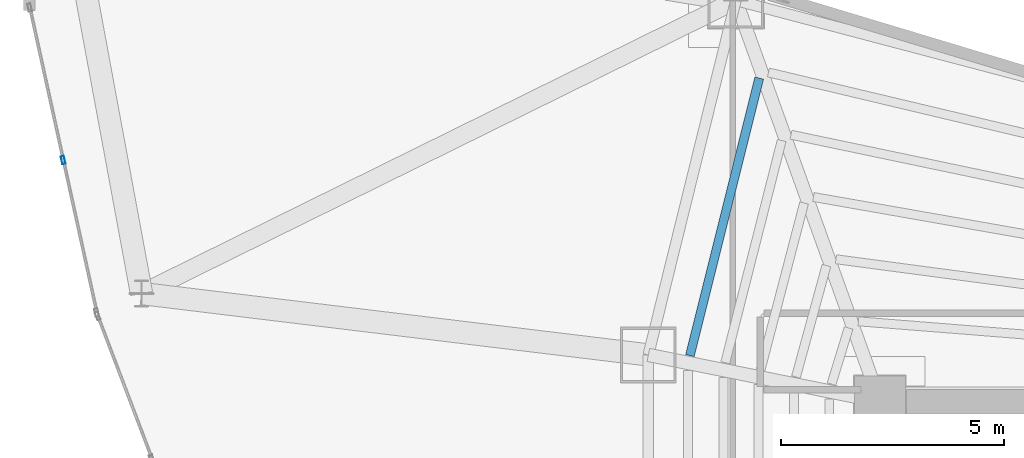
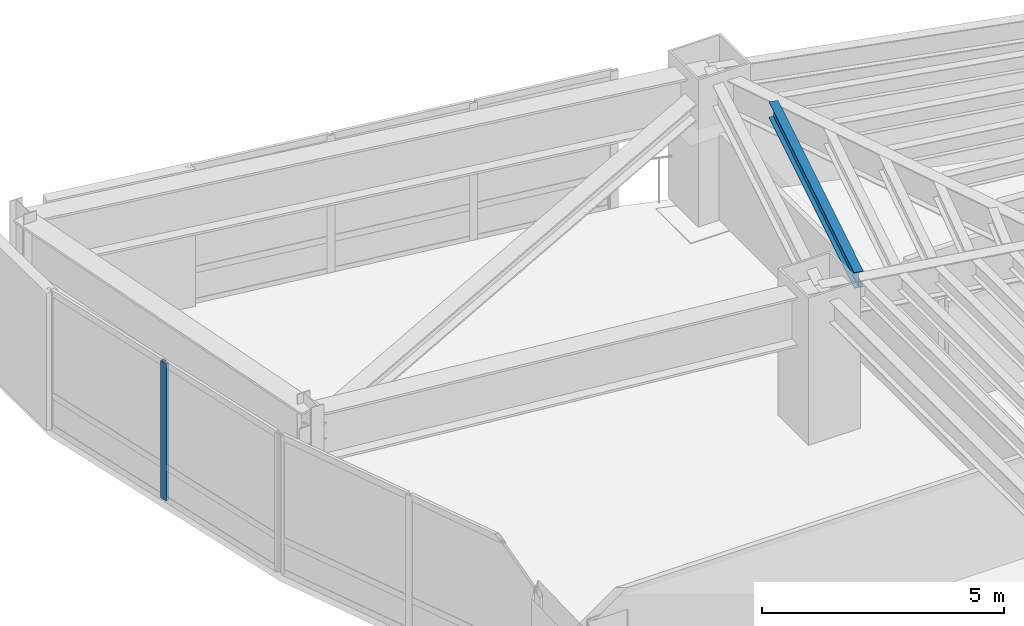
# One storey, part 9 of 23: 1 beam, 1 member, 1 element without a shape of its own.
"""IFC4 building model written with IfcOpenShell, lengths in metres."""

from ifc_helpers import new_model, si_unit, direction, frame, origin, origin_2d, place, context, subcontext, project, spatial, hollow_rectangle, i_section, extrude, material, layer, layer_set, material_profile, profile_set, type_object, element, aggregate, save


model = new_model("IFC4")

# Units and contexts
model_context = context("Model", 3, precision=1e-05, world=origin(), true_north=direction((0.0, 1.0)))
body_context = subcontext(model_context, "Body", "Model", "MODEL_VIEW")
ifc_project = project(units=[si_unit("LENGTHUNIT", "METRE"), si_unit("AREAUNIT", "SQUARE_METRE"), si_unit("VOLUMEUNIT", "CUBIC_METRE"), si_unit("PLANEANGLEUNIT", "RADIAN"), si_unit("MASSUNIT", "GRAM", prefix="KILO")], contexts=[model_context])

# Site, building, storey
site_placement = place(None, origin())
site = spatial("IfcSite", under=ifc_project, at=site_placement, CompositionType="ELEMENT")
building_placement = place(site_placement, origin())
building = spatial("IfcBuilding", under=site, at=building_placement, Name="Menara Vayukalpa", CompositionType="ELEMENT")
storey_placement = place(building_placement, frame((0.0, 0.0, 107.699951171875)))
storey = spatial("IfcBuildingStorey", under=building, at=storey_placement, Name="L26", CompositionType="ELEMENT", Elevation=107.699951171875)

# Beam
ifc_material_1 = material(Name="Steel S355", Category="steel")
ifc_material_profile_1 = material_profile(ifc_material_1, i_section(OverallWidth=0.199951171875, OverallDepth=0.39990234375, WebThickness=0.008056640625, FlangeThickness=0.012939453125, at=origin_2d()), Name="WF 400x200x8x13")
ifc_profile_set_1 = profile_set([ifc_material_profile_1], Name="Steel S355")
beam_type = type_object("IfcBeamType", Name="BM-SJ2", PredefinedType="JOIST", material=ifc_profile_set_1)
beam_placement = place(storey_placement, frame((15.09423828125, 34.055419921875, 3.27001953125), z_axis=(-0.242481900969, -0.970155929582, 0.0), x_axis=(0.970155929582, -0.242481900969, 0.0)))
element("IfcBeam", 1, at=beam_placement, inside=storey, type_object=beam_type, Name="L26 Secondary Floor Joist SJ04-5", PredefinedType="JOIST", context=body_context, shape_type="SweptSolid", body=[
    extrude(i_section(OverallWidth=0.199951171875, OverallDepth=0.39990234375, WebThickness=0.008056640625, FlangeThickness=0.012939453125, at=origin_2d()), origin(), (0.0, 0.0, 1.0), 6.41552734375),
])

# Curtain wall, member
ifc_material_2 = material(Name="Anodised Terracotta Aluminium Alloy 6063-T6", Category="masonry")
ifc_layer = layer(ifc_material_2, 0.179931640625)
ifc_layer_set = layer_set([ifc_layer], Name="Anodised Terracotta Aluminium Alloy 6063-T6")
curtain_wall_type = type_object("IfcCurtainWallType", Name="CW-CW4", PredefinedType="USERDEFINED", material=ifc_layer_set)
curtain_wall_placement = place(storey_placement, origin())
curtain_wall = element("IfcCurtainWall", 2, at=curtain_wall_placement, inside=storey, type_object=curtain_wall_type, Name="L26 Sky Bar Cantilever Glazed Curtain Wall CW4 10", ObjectType="UNITISED", PredefinedType="USERDEFINED")
ifc_material_3 = material(Name="Anodised Terracotta Aluminium Alloy 6063-T6", Category="masonry")
ifc_material_profile_2 = material_profile(ifc_material_3, hollow_rectangle(XDim=0.074951171875, YDim=0.179931640625, WallThickness=0.00390625, at=origin_2d()), Name="ALU 75x180x4")
ifc_profile_set_2 = profile_set([ifc_material_profile_2], Name="Anodised Terracotta Aluminium Alloy 6063-T6")
member_type = type_object("IfcMemberType", Name="CWM-CW4", PredefinedType="MULLION", material=ifc_profile_set_2)
member_placement = place(storey_placement, frame((-0.515869140625, 32.21484375, 0.0), z_axis=(0.0, 0.0, 1.0), x_axis=(0.976721757533, 0.214510159112, 0.0)))
member = element("IfcMember", 3, at=member_placement, type_object=member_type, Name="CW4 mullion 2", PredefinedType="MULLION", context=body_context, shape_type="SweptSolid", body=[
    extrude(hollow_rectangle(XDim=0.074951171875, YDim=0.179931640625, WallThickness=0.00390625, at=origin_2d()), origin(), (0.0, 0.0, 1.0), 3.469970703125),
])
aggregate(curtain_wall, [member])

save(model, "model.ifc")
